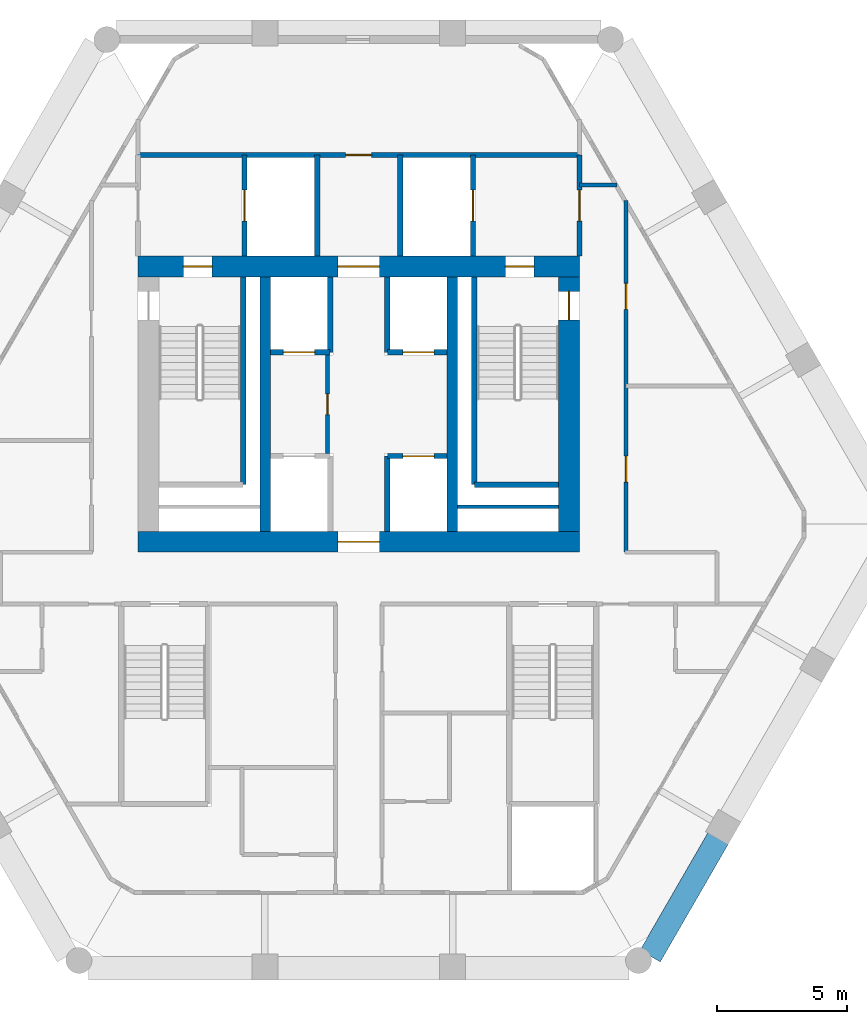
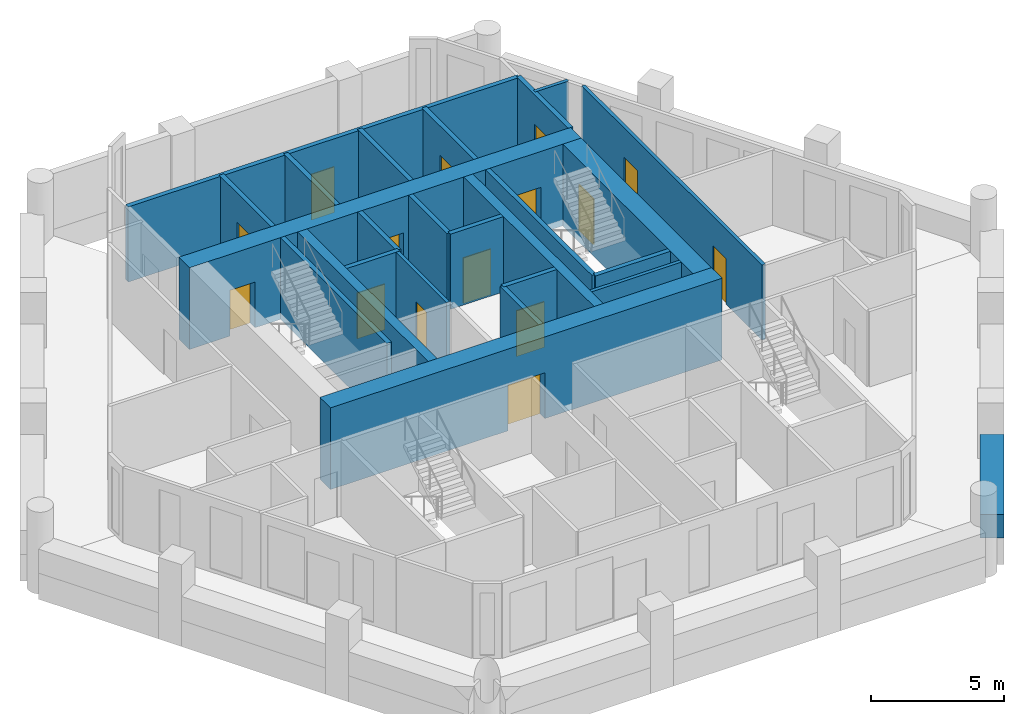
# One storey, part 4 of 7: 25 walls, 15 doors, 15 openings.
"""IFC4 building model written with IfcOpenShell, lengths in metres."""

from ifc_helpers import new_model, si_unit, direction, frame, frame_2d, origin, place, context, subcontext, project, spatial, rectangle, extrude, material, layer, layer_set, type_object, element, fill, save


model = new_model("IFC4")

# Units and contexts
model_context = context("Model", 3, precision=1e-05, world=origin(), true_north=direction((0.0, 1.0)))
body_context = subcontext(model_context, "Body", "Model", "MODEL_VIEW")
ifc_project = project(units=[si_unit("LENGTHUNIT", "METRE"), si_unit("AREAUNIT", "SQUARE_METRE"), si_unit("VOLUMEUNIT", "CUBIC_METRE"), si_unit("PLANEANGLEUNIT", "RADIAN"), si_unit("MASSUNIT", "GRAM", prefix="KILO")], contexts=[model_context])

# Site, building, storey
site_placement = place(None, origin())
site = spatial("IfcSite", under=ifc_project, at=site_placement, CompositionType="ELEMENT")
building_placement = place(site_placement, origin())
building = spatial("IfcBuilding", under=site, at=building_placement, Name="Ostrander Bayou Hotel Tower", CompositionType="ELEMENT")
storey_placement = place(building_placement, frame((0.0, 0.0, 179.5)))
storey = spatial("IfcBuildingStorey", under=building, at=storey_placement, Name="L44", CompositionType="ELEMENT", Elevation=179.5)

# Wall, opening, door
ifc_material_1 = material(Name="Concrete f'c 60 MPa", Category="concrete")
ifc_layer_1 = layer(ifc_material_1, 0.800048828125)
ifc_layer_set_1 = layer_set([ifc_layer_1], Name="CW7 core wall 800 mm f'c 60 MPa")
wall_type_1 = type_object("IfcWallType", Name="CW7 core wall 800 mm f'c 60 MPa", PredefinedType="SHEAR", material=ifc_layer_set_1)
wall_1_placement = place(storey_placement, frame((-8.5, -1.300048828125, -0.300048828125), z_axis=(0.0, 0.0, 1.0), x_axis=(1.0, 0.0, 0.0)))
wall_1 = element("IfcWall", 1, at=wall_1_placement, inside=storey, type_object=wall_type_1, Name="CW7 L44 S", PredefinedType="SHEAR", context=body_context, shape_type="SweptSolid", body=[
    extrude(rectangle(XDim=17.0, YDim=0.800048828125, at=frame_2d((8.5, 0.0))), origin(), (0.0, 0.0, 1.0), 3.75),
])
opening_1_placement = place(wall_1_placement, frame((7.699951171875, 0.0, 0.0)))
opening_1 = element("IfcOpeningElement", 2, at=opening_1_placement, cuts=wall_1, Name="Opening T44-005", PredefinedType="OPENING", context=body_context, shape_type="SweptSolid", body=[
    extrude(rectangle(XDim=1.60009765625, YDim=2.10009765625, at=frame_2d((0.800048828125, 1.050048828125))), frame((0.0, 0.39990234375, 0.0), z_axis=(0.0, -1.0, 0.0), x_axis=(1.0, 0.0, 0.0)), (0.0, 0.0, 1.0), 0.800048828125),
])
ifc_material_2 = material(Name="Timber door leaf", Category="wood")
door_type_1 = type_object("IfcDoorType", Name="D13 double door 1600 x 2100 mm, 1 hour", OperationType="SINGLE_SWING_LEFT", PredefinedType="DOOR", material=ifc_material_2)
door_1_placement = place(opening_1_placement, origin())
door_1 = element("IfcDoor", 3, at=door_1_placement, inside=storey, type_object=door_type_1, Name="dr:L44:005", OperationType="DOUBLE_DOOR_SINGLE_SWING", OverallHeight=2.10009765625, OverallWidth=1.60009765625, PredefinedType="DOOR", context=body_context, shape_type="SweptSolid", body=[
    extrude(rectangle(XDim=1.60009765625, YDim=2.10009765625, at=frame_2d((0.800048828125, 1.050048828125))), frame((0.0, 0.02490234375, 0.0), z_axis=(0.0, -1.0, 0.0), x_axis=(1.0, 0.0, 0.0)), (0.0, 0.0, 1.0), 0.050048828125),
])
fill(opening_1, door_1)

# Wall, openings, doors
wall_2_placement = place(storey_placement, frame((-8.5, 9.300048828125, -0.300048828125), z_axis=(0.0, 0.0, 1.0), x_axis=(1.0, 0.0, 0.0)))
wall_2 = element("IfcWall", 4, at=wall_2_placement, inside=storey, type_object=wall_type_1, Name="CW7 L44 N", PredefinedType="SHEAR", context=body_context, shape_type="SweptSolid", body=[
    extrude(rectangle(XDim=17.0, YDim=0.800048828125, at=frame_2d((8.5, 0.0))), origin(), (0.0, 0.0, 1.0), 3.75),
])
opening_2_placement = place(wall_2_placement, frame((7.699951171875, 0.0, 0.0)))
opening_2 = element("IfcOpeningElement", 5, at=opening_2_placement, cuts=wall_2, Name="Opening T44-006", PredefinedType="OPENING", context=body_context, shape_type="SweptSolid", body=[
    extrude(rectangle(XDim=1.60009765625, YDim=2.10009765625, at=frame_2d((0.800048828125, 1.050048828125))), frame((0.0, 0.39990234375, 0.0), z_axis=(0.0, -1.0, 0.0), x_axis=(1.0, 0.0, 0.0)), (0.0, 0.0, 1.0), 0.800048828125),
])
opening_3_placement = place(wall_2_placement, frame((1.75, 0.0, 0.0)))
opening_3 = element("IfcOpeningElement", 6, at=opening_3_placement, cuts=wall_2, Name="Opening T44-007", PredefinedType="OPENING", context=body_context, shape_type="SweptSolid", body=[
    extrude(rectangle(XDim=1.10009765625, YDim=2.10009765625, at=frame_2d((0.550048828125, 1.050048828125))), frame((0.0, 0.39990234375, 0.0), z_axis=(0.0, -1.0, 0.0), x_axis=(1.0, 0.0, 0.0)), (0.0, 0.0, 1.0), 0.800048828125),
])
opening_4_placement = place(wall_2_placement, frame((14.14990234375, 0.0, 0.0)))
opening_4 = element("IfcOpeningElement", 7, at=opening_4_placement, cuts=wall_2, Name="Opening T44-009", PredefinedType="OPENING", context=body_context, shape_type="SweptSolid", body=[
    extrude(rectangle(XDim=1.10009765625, YDim=2.10009765625, at=frame_2d((0.550048828125, 1.050048828125))), frame((0.0, 0.39990234375, 0.0), z_axis=(0.0, -1.0, 0.0), x_axis=(1.0, 0.0, 0.0)), (0.0, 0.0, 1.0), 0.800048828125),
])
door_2_placement = place(opening_2_placement, origin())
door_2 = element("IfcDoor", 8, at=door_2_placement, inside=storey, type_object=door_type_1, Name="dr:L44:006", OperationType="DOUBLE_DOOR_SINGLE_SWING", OverallHeight=2.10009765625, OverallWidth=1.60009765625, PredefinedType="DOOR", context=body_context, shape_type="SweptSolid", body=[
    extrude(rectangle(XDim=1.60009765625, YDim=2.10009765625, at=frame_2d((0.800048828125, 1.050048828125))), frame((0.0, 0.02490234375, 0.0), z_axis=(0.0, -1.0, 0.0), x_axis=(1.0, 0.0, 0.0)), (0.0, 0.0, 1.0), 0.050048828125),
])
fill(opening_2, door_2)
ifc_material_3 = material(Name="Timber door leaf", Category="wood")
door_type_2 = type_object("IfcDoorType", Name="D5 stair door 1100 x 2100 mm, 90 minute", OperationType="SINGLE_SWING_LEFT", PredefinedType="DOOR", material=ifc_material_3)
door_3_placement = place(opening_3_placement, origin())
door_3 = element("IfcDoor", 9, at=door_3_placement, inside=storey, type_object=door_type_2, Name="dr:L44:007", OperationType="SINGLE_SWING_LEFT", OverallHeight=2.10009765625, OverallWidth=1.10009765625, PredefinedType="DOOR", context=body_context, shape_type="SweptSolid", body=[
    extrude(rectangle(XDim=1.10009765625, YDim=2.10009765625, at=frame_2d((0.550048828125, 1.050048828125))), frame((0.0, 0.02490234375, 0.0), z_axis=(0.0, -1.0, 0.0), x_axis=(1.0, 0.0, 0.0)), (0.0, 0.0, 1.0), 0.050048828125),
])
fill(opening_3, door_3)
door_4_placement = place(opening_4_placement, origin())
door_4 = element("IfcDoor", 10, at=door_4_placement, inside=storey, type_object=door_type_2, Name="dr:L44:009", OperationType="SINGLE_SWING_RIGHT", OverallHeight=2.10009765625, OverallWidth=1.10009765625, PredefinedType="DOOR", context=body_context, shape_type="SweptSolid", body=[
    extrude(rectangle(XDim=1.10009765625, YDim=2.10009765625, at=frame_2d((0.550048828125, 1.050048828125))), frame((0.0, 0.02490234375, 0.0), z_axis=(0.0, -1.0, 0.0), x_axis=(1.0, 0.0, 0.0)), (0.0, 0.0, 1.0), 0.050048828125),
])
fill(opening_4, door_4)

# Wall, opening, door
ifc_material_4 = material(Name="Concrete f'c 60 MPa", Category="concrete")
ifc_layer_2 = layer(ifc_material_4, 0.800048828125)
ifc_layer_set_2 = layer_set([ifc_layer_2], Name="CW8 core spine wall 800 mm f'c 60 MPa")
wall_type_2 = type_object("IfcWallType", Name="CW8 core spine wall 800 mm f'c 60 MPa", PredefinedType="SHEAR", material=ifc_layer_set_2)
wall_3_placement = place(storey_placement, frame((8.10009765625, -0.89990234375, -0.300048828125), z_axis=(0.0, 0.0, 1.0), x_axis=(0.0, 1.0, 0.0)))
wall_3 = element("IfcWall", 11, at=wall_3_placement, inside=storey, type_object=wall_type_2, Name="CW8 L44 E", PredefinedType="SHEAR", context=body_context, shape_type="SweptSolid", body=[
    extrude(rectangle(XDim=9.7998046875, YDim=0.800048828125, at=frame_2d((4.89990234375, 0.0))), origin(), (0.0, 0.0, 1.0), 3.75),
])
opening_5_placement = place(wall_3_placement, frame((8.14990234375, 0.0, 0.0)))
opening_5 = element("IfcOpeningElement", 12, at=opening_5_placement, cuts=wall_3, Name="Opening T44-010", PredefinedType="OPENING", context=body_context, shape_type="SweptSolid", body=[
    extrude(rectangle(XDim=1.10009765625, YDim=2.10009765625, at=frame_2d((0.550048828125, 1.050048828125))), frame((0.0, 0.39990234375, 0.0), z_axis=(0.0, -1.0, 0.0), x_axis=(1.0, 0.0, 0.0)), (0.0, 0.0, 1.0), 0.800048828125),
])
door_5_placement = place(opening_5_placement, origin())
door_5 = element("IfcDoor", 13, at=door_5_placement, inside=storey, type_object=door_type_2, Name="dr:L44:010", OperationType="SINGLE_SWING_LEFT", OverallHeight=2.10009765625, OverallWidth=1.10009765625, PredefinedType="DOOR", context=body_context, shape_type="SweptSolid", body=[
    extrude(rectangle(XDim=1.10009765625, YDim=2.10009765625, at=frame_2d((0.550048828125, 1.050048828125))), frame((0.0, 0.02490234375, 0.0), z_axis=(0.0, -1.0, 0.0), x_axis=(1.0, 0.0, 0.0)), (0.0, 0.0, 1.0), 0.050048828125),
])
fill(opening_5, door_5)

# Walls
ifc_material_5 = material(Name="Concrete f'c 60 MPa", Category="concrete")
ifc_layer_3 = layer(ifc_material_5, 0.39990234375)
ifc_layer_set_3 = layer_set([ifc_layer_3], Name="CW9 core bank wall 400 mm f'c 60 MPa")
wall_type_3 = type_object("IfcWallType", Name="CW9 core bank wall 400 mm f'c 60 MPa", PredefinedType="SHEAR", material=ifc_layer_set_3)
for number, where, z_axis, x_axis, name in (
    (14, (-3.60009765625, -0.89990234375, -0.300048828125), (0.0, 0.0, 1.0), (0.0, 1.0, 0.0), "CW9 L44 CW"),
    (15, (3.60009765625, -0.89990234375, -0.300048828125), (0.0, 0.0, 1.0), (0.0, 1.0, 0.0), "CW9 L44 CE"),
):
    element("IfcWall", number, at=place(storey_placement, frame(where, z_axis=z_axis, x_axis=x_axis)), inside=storey, type_object=wall_type_3, Name=name, PredefinedType="SHEAR", context=body_context, shape_type="SweptSolid", body=[
        extrude(rectangle(XDim=9.7998046875, YDim=0.39990234375, at=frame_2d((4.89990234375, 0.0))), origin(), (0.0, 0.0, 1.0), 3.75),
    ])
ifc_material_6 = material(Name="Limestone masonry", Category="masonry")
ifc_layer_4 = layer(ifc_material_6, 0.89990234375)
ifc_layer_set_4 = layer_set([ifc_layer_4], Name="PA2 limestone parapet 900 mm")
wall_type_4 = type_object("IfcWallType", Name="PA2 limestone parapet 900 mm", PredefinedType="PARAPET", material=ifc_layer_set_4)
wall_4_placement = place(storey_placement, frame((11.224609375, -17.25830078125, 0.0), z_axis=(0.0, 0.0, 1.0), x_axis=(0.499988348136, 0.866032130887, 0.0)))
element("IfcWall", 16, at=wall_4_placement, inside=storey, type_object=wall_type_4, Name="PA2 L44 SE-1", PredefinedType="PARAPET", context=body_context, shape_type="SweptSolid", body=[
    extrude(rectangle(XDim=5.245849609375, YDim=0.89990234375, at=frame_2d((2.623046875, 0.0))), origin(), (0.0, 0.0, 1.0), 1.10009765625),
])

# Wall, opening, door
ifc_material_7 = material(Name="Masonry block", Category="masonry")
ifc_layer_5 = layer(ifc_material_7, 0.199951171875)
ifc_layer_set_5 = layer_set([ifc_layer_5], Name="PT5 stair enclosure wall 200 mm masonry, 2 hour")
wall_type_5 = type_object("IfcWallType", Name="PT5 stair enclosure wall 200 mm masonry, 2 hour", PredefinedType="PARTITIONING", material=ifc_layer_set_5)
wall_5_placement = place(storey_placement, frame((-8.5, 13.60009765625, 0.0), z_axis=(0.0, 0.0, 1.0), x_axis=(1.0, 0.0, 0.0)))
wall_5 = element("IfcWall", 17, at=wall_5_placement, inside=storey, type_object=wall_type_5, Name="cs:L44:025", PredefinedType="PARTITIONING", context=body_context, shape_type="SweptSolid", body=[
    extrude(rectangle(XDim=17.0, YDim=0.199951171875, at=frame_2d((8.5, 0.0))), origin(), (0.0, 0.0, 1.0), 3.449951171875),
])
opening_6_placement = place(wall_5_placement, frame((8.0, 0.0, 0.0)))
opening_6 = element("IfcOpeningElement", 18, at=opening_6_placement, cuts=wall_5, Name="Opening T44-017", PredefinedType="OPENING", context=body_context, shape_type="SweptSolid", body=[
    extrude(rectangle(XDim=1.0, YDim=2.10009765625, at=frame_2d((0.5, 1.050048828125))), frame((0.0, 0.10009765625, 0.0), z_axis=(0.0, -1.0, 0.0), x_axis=(1.0, 0.0, 0.0)), (0.0, 0.0, 1.0), 0.199951171875),
])
ifc_material_8 = material(Name="Timber door leaf", Category="wood")
door_type_3 = type_object("IfcDoorType", Name="D9 service door 1000 x 2100 mm, 30 minute", OperationType="SINGLE_SWING_LEFT", PredefinedType="DOOR", material=ifc_material_8)
door_6_placement = place(opening_6_placement, origin())
door_6 = element("IfcDoor", 19, at=door_6_placement, inside=storey, type_object=door_type_3, Name="dr:L44:017", OperationType="SINGLE_SWING_LEFT", OverallHeight=2.10009765625, OverallWidth=1.0, PredefinedType="DOOR", context=body_context, shape_type="SweptSolid", body=[
    extrude(rectangle(XDim=1.0, YDim=2.10009765625, at=frame_2d((0.5, 1.050048828125))), frame((0.0, 0.02490234375, 0.0), z_axis=(0.0, -1.0, 0.0), x_axis=(1.0, 0.0, 0.0)), (0.0, 0.0, 1.0), 0.050048828125),
])
fill(opening_6, door_6)

wall_6_placement = place(storey_placement, frame((8.5, 9.699951171875, 0.0), z_axis=(0.0, 0.0, 1.0), x_axis=(0.0, 1.0, 0.0)))
wall_6 = element("IfcWall", 20, at=wall_6_placement, inside=storey, type_object=wall_type_5, Name="cs:L44:027", PredefinedType="PARTITIONING", context=body_context, shape_type="SweptSolid", body=[
    extrude(rectangle(XDim=3.900146484375, YDim=0.199951171875, at=frame_2d((1.9501953125, 0.0))), origin(), (0.0, 0.0, 1.0), 3.449951171875),
])
opening_7_placement = place(wall_6_placement, frame((1.35009765625, 0.0, 0.0)))
opening_7 = element("IfcOpeningElement", 21, at=opening_7_placement, cuts=wall_6, Name="Opening T44-016", PredefinedType="OPENING", context=body_context, shape_type="SweptSolid", body=[
    extrude(rectangle(XDim=1.199951171875, YDim=2.10009765625, at=frame_2d((0.60009765625, 1.050048828125))), frame((0.0, 0.10009765625, 0.0), z_axis=(0.0, -1.0, 0.0), x_axis=(1.0, 0.0, 0.0)), (0.0, 0.0, 1.0), 0.199951171875),
])
ifc_material_9 = material(Name="Timber door leaf", Category="wood")
door_type_4 = type_object("IfcDoorType", Name="D7 lobby door 1200 x 2100 mm, 1 hour", OperationType="SINGLE_SWING_LEFT", PredefinedType="DOOR", material=ifc_material_9)
door_7_placement = place(opening_7_placement, origin())
door_7 = element("IfcDoor", 22, at=door_7_placement, inside=storey, type_object=door_type_4, Name="dr:L44:016", OperationType="SINGLE_SWING_LEFT", OverallHeight=2.10009765625, OverallWidth=1.199951171875, PredefinedType="DOOR", context=body_context, shape_type="SweptSolid", body=[
    extrude(rectangle(XDim=1.199951171875, YDim=2.10009765625, at=frame_2d((0.60009765625, 1.050048828125))), frame((0.0, 0.02490234375, 0.0), z_axis=(0.0, -1.0, 0.0), x_axis=(1.0, 0.0, 0.0)), (0.0, 0.0, 1.0), 0.050048828125),
])
fill(opening_7, door_7)

wall_7_placement = place(storey_placement, frame((-4.39990234375, 9.699951171875, 0.0), z_axis=(0.0, 0.0, 1.0), x_axis=(0.0, 1.0, 0.0)))
wall_7 = element("IfcWall", 23, at=wall_7_placement, inside=storey, type_object=wall_type_5, Name="cs:L44:028", PredefinedType="PARTITIONING", context=body_context, shape_type="SweptSolid", body=[
    extrude(rectangle(XDim=3.900146484375, YDim=0.199951171875, at=frame_2d((1.9501953125, 0.0))), origin(), (0.0, 0.0, 1.0), 3.449951171875),
])
opening_8_placement = place(wall_7_placement, frame((1.35009765625, 0.0, 0.0)))
opening_8 = element("IfcOpeningElement", 24, at=opening_8_placement, cuts=wall_7, Name="Opening T44-013", PredefinedType="OPENING", context=body_context, shape_type="SweptSolid", body=[
    extrude(rectangle(XDim=1.199951171875, YDim=2.10009765625, at=frame_2d((0.60009765625, 1.050048828125))), frame((0.0, 0.10009765625, 0.0), z_axis=(0.0, -1.0, 0.0), x_axis=(1.0, 0.0, 0.0)), (0.0, 0.0, 1.0), 0.199951171875),
])
ifc_material_10 = material(Name="Stainless steel sliding door", Category="steel")
door_type_5 = type_object("IfcDoorType", Name="LD1 lift landing door 1200 x 2100 mm", OperationType="SINGLE_SWING_LEFT", PredefinedType="DOOR", material=ifc_material_10)
door_8_placement = place(opening_8_placement, origin())
door_8 = element("IfcDoor", 25, at=door_8_placement, inside=storey, type_object=door_type_5, Name="dr:L44:013", OperationType="SLIDING_TO_LEFT", OverallHeight=2.10009765625, OverallWidth=1.199951171875, PredefinedType="DOOR", context=body_context, shape_type="SweptSolid", body=[
    extrude(rectangle(XDim=1.199951171875, YDim=2.10009765625, at=frame_2d((0.60009765625, 1.050048828125))), frame((0.0, 0.02490234375, 0.0), z_axis=(0.0, -1.0, 0.0), x_axis=(1.0, 0.0, 0.0)), (0.0, 0.0, 1.0), 0.050048828125),
])
fill(opening_8, door_8)

wall_8_placement = place(storey_placement, frame((4.39990234375, 9.699951171875, 0.0), z_axis=(0.0, 0.0, 1.0), x_axis=(0.0, 1.0, 0.0)))
wall_8 = element("IfcWall", 26, at=wall_8_placement, inside=storey, type_object=wall_type_5, Name="cs:L44:029", PredefinedType="PARTITIONING", context=body_context, shape_type="SweptSolid", body=[
    extrude(rectangle(XDim=3.900146484375, YDim=0.199951171875, at=frame_2d((1.9501953125, 0.0))), origin(), (0.0, 0.0, 1.0), 3.449951171875),
])
opening_9_placement = place(wall_8_placement, frame((1.35009765625, 0.0, 0.0)))
opening_9 = element("IfcOpeningElement", 27, at=opening_9_placement, cuts=wall_8, Name="Opening T44-015", PredefinedType="OPENING", context=body_context, shape_type="SweptSolid", body=[
    extrude(rectangle(XDim=1.199951171875, YDim=2.10009765625, at=frame_2d((0.60009765625, 1.050048828125))), frame((0.0, 0.10009765625, 0.0), z_axis=(0.0, -1.0, 0.0), x_axis=(1.0, 0.0, 0.0)), (0.0, 0.0, 1.0), 0.199951171875),
])
door_9_placement = place(opening_9_placement, origin())
door_9 = element("IfcDoor", 28, at=door_9_placement, inside=storey, type_object=door_type_5, Name="dr:L44:015", OperationType="SLIDING_TO_LEFT", OverallHeight=2.10009765625, OverallWidth=1.199951171875, PredefinedType="DOOR", context=body_context, shape_type="SweptSolid", body=[
    extrude(rectangle(XDim=1.199951171875, YDim=2.10009765625, at=frame_2d((0.60009765625, 1.050048828125))), frame((0.0, 0.02490234375, 0.0), z_axis=(0.0, -1.0, 0.0), x_axis=(1.0, 0.0, 0.0)), (0.0, 0.0, 1.0), 0.050048828125),
])
fill(opening_9, door_9)

ifc_material_11 = material(Name="Masonry block", Category="masonry")
ifc_layer_6 = layer(ifc_material_11, 0.199951171875)
ifc_layer_set_6 = layer_set([ifc_layer_6], Name="PT6 lift shaft wall 200 mm masonry, 2 hour")
wall_type_6 = type_object("IfcWallType", Name="PT6 lift shaft wall 200 mm masonry, 2 hour", PredefinedType="PARTITIONING", material=ifc_layer_set_6)
wall_9_placement = place(storey_placement, frame((-3.39990234375, 6.0, 0.0), z_axis=(0.0, 0.0, 1.0), x_axis=(1.0, 0.0, 0.0)))
wall_9 = element("IfcWall", 29, at=wall_9_placement, inside=storey, type_object=wall_type_6, Name="cs:L44:002", PredefinedType="PARTITIONING", context=body_context, shape_type="SweptSolid", body=[
    extrude(rectangle(XDim=2.2998046875, YDim=0.199951171875, at=frame_2d((1.14990234375, 0.0))), origin(), (0.0, 0.0, 1.0), 3.449951171875),
])
opening_10_placement = place(wall_9_placement, frame((0.5, 0.0, 0.0)))
opening_10 = element("IfcOpeningElement", 30, at=opening_10_placement, cuts=wall_9, Name="Opening T44-003", PredefinedType="OPENING", context=body_context, shape_type="SweptSolid", body=[
    extrude(rectangle(XDim=1.199951171875, YDim=2.10009765625, at=frame_2d((0.60009765625, 1.050048828125))), frame((0.0, 0.10009765625, 0.0), z_axis=(0.0, -1.0, 0.0), x_axis=(1.0, 0.0, 0.0)), (0.0, 0.0, 1.0), 0.199951171875),
])
door_10_placement = place(opening_10_placement, origin())
door_10 = element("IfcDoor", 31, at=door_10_placement, inside=storey, type_object=door_type_5, Name="dr:L44:003", OperationType="SLIDING_TO_LEFT", OverallHeight=2.10009765625, OverallWidth=1.199951171875, PredefinedType="DOOR", context=body_context, shape_type="SweptSolid", body=[
    extrude(rectangle(XDim=1.199951171875, YDim=2.10009765625, at=frame_2d((0.60009765625, 1.050048828125))), frame((0.0, 0.02490234375, 0.0), z_axis=(0.0, -1.0, 0.0), x_axis=(1.0, 0.0, 0.0)), (0.0, 0.0, 1.0), 0.050048828125),
])
fill(opening_10, door_10)

wall_10_placement = place(storey_placement, frame((1.10009765625, 2.0, 0.0), z_axis=(0.0, 0.0, 1.0), x_axis=(1.0, 0.0, 0.0)))
wall_10 = element("IfcWall", 32, at=wall_10_placement, inside=storey, type_object=wall_type_6, Name="cs:L44:003", PredefinedType="PARTITIONING", context=body_context, shape_type="SweptSolid", body=[
    extrude(rectangle(XDim=2.2998046875, YDim=0.199951171875, at=frame_2d((1.14990234375, 0.0))), origin(), (0.0, 0.0, 1.0), 3.449951171875),
])
opening_11_placement = place(wall_10_placement, frame((0.60009765625, 0.0, 0.0)))
opening_11 = element("IfcOpeningElement", 33, at=opening_11_placement, cuts=wall_10, Name="Opening T44-002", PredefinedType="OPENING", context=body_context, shape_type="SweptSolid", body=[
    extrude(rectangle(XDim=1.199951171875, YDim=2.10009765625, at=frame_2d((0.60009765625, 1.050048828125))), frame((0.0, 0.10009765625, 0.0), z_axis=(0.0, -1.0, 0.0), x_axis=(1.0, 0.0, 0.0)), (0.0, 0.0, 1.0), 0.199951171875),
])
door_11_placement = place(opening_11_placement, origin())
door_11 = element("IfcDoor", 34, at=door_11_placement, inside=storey, type_object=door_type_5, Name="dr:L44:002", OperationType="SLIDING_TO_LEFT", OverallHeight=2.10009765625, OverallWidth=1.199951171875, PredefinedType="DOOR", context=body_context, shape_type="SweptSolid", body=[
    extrude(rectangle(XDim=1.199951171875, YDim=2.10009765625, at=frame_2d((0.60009765625, 1.050048828125))), frame((0.0, 0.02490234375, 0.0), z_axis=(0.0, -1.0, 0.0), x_axis=(1.0, 0.0, 0.0)), (0.0, 0.0, 1.0), 0.050048828125),
])
fill(opening_11, door_11)

wall_11_placement = place(storey_placement, frame((1.10009765625, 6.0, 0.0), z_axis=(0.0, 0.0, 1.0), x_axis=(1.0, 0.0, 0.0)))
wall_11 = element("IfcWall", 35, at=wall_11_placement, inside=storey, type_object=wall_type_6, Name="cs:L44:004", PredefinedType="PARTITIONING", context=body_context, shape_type="SweptSolid", body=[
    extrude(rectangle(XDim=2.2998046875, YDim=0.199951171875, at=frame_2d((1.14990234375, 0.0))), origin(), (0.0, 0.0, 1.0), 3.449951171875),
])
opening_12_placement = place(wall_11_placement, frame((0.60009765625, 0.0, 0.0)))
opening_12 = element("IfcOpeningElement", 36, at=opening_12_placement, cuts=wall_11, Name="Opening T44-004", PredefinedType="OPENING", context=body_context, shape_type="SweptSolid", body=[
    extrude(rectangle(XDim=1.199951171875, YDim=2.10009765625, at=frame_2d((0.60009765625, 1.050048828125))), frame((0.0, 0.10009765625, 0.0), z_axis=(0.0, -1.0, 0.0), x_axis=(1.0, 0.0, 0.0)), (0.0, 0.0, 1.0), 0.199951171875),
])
door_12_placement = place(opening_12_placement, origin())
door_12 = element("IfcDoor", 37, at=door_12_placement, inside=storey, type_object=door_type_5, Name="dr:L44:004", OperationType="SLIDING_TO_LEFT", OverallHeight=2.10009765625, OverallWidth=1.199951171875, PredefinedType="DOOR", context=body_context, shape_type="SweptSolid", body=[
    extrude(rectangle(XDim=1.199951171875, YDim=2.10009765625, at=frame_2d((0.60009765625, 1.050048828125))), frame((0.0, 0.02490234375, 0.0), z_axis=(0.0, -1.0, 0.0), x_axis=(1.0, 0.0, 0.0)), (0.0, 0.0, 1.0), 0.050048828125),
])
fill(opening_12, door_12)

# Walls
for number, where, z_axis, x_axis, name in (
    (38, (1.10009765625, -0.89990234375, 0.0), (0.0, 0.0, 1.0), (0.0, 1.0, 0.0), "cs:L44:006"),
    (39, (-1.10009765625, 6.0, 0.0), (0.0, 0.0, 1.0), (0.0, 1.0, 0.0), "cs:L44:007"),
    (40, (1.10009765625, 6.0, 0.0), (0.0, 0.0, 1.0), (0.0, 1.0, 0.0), "cs:L44:008"),
):
    element("IfcWall", number, at=place(storey_placement, frame(where, z_axis=z_axis, x_axis=x_axis)), inside=storey, type_object=wall_type_6, Name=name, PredefinedType="PARTITIONING", context=body_context, shape_type="SweptSolid", body=[
        extrude(rectangle(XDim=2.89990234375, YDim=0.199951171875, at=frame_2d((1.449951171875, 0.0))), origin(), (0.0, 0.0, 1.0), 3.449951171875),
    ])
for number, where, z_axis, x_axis, name in (
    (41, (-1.60009765625, 9.699951171875, 0.0), (0.0, 0.0, 1.0), (0.0, 1.0, 0.0), "cs:L44:030"),
    (42, (1.60009765625, 9.699951171875, 0.0), (0.0, 0.0, 1.0), (0.0, 1.0, 0.0), "cs:L44:031"),
):
    element("IfcWall", number, at=place(storey_placement, frame(where, z_axis=z_axis, x_axis=x_axis)), inside=storey, type_object=wall_type_6, Name=name, PredefinedType="PARTITIONING", context=body_context, shape_type="SweptSolid", body=[
        extrude(rectangle(XDim=3.900146484375, YDim=0.199951171875, at=frame_2d((1.9501953125, 0.0))), origin(), (0.0, 0.0, 1.0), 3.449951171875),
    ])
ifc_material_12 = material(Name="Gypsum board partition", Category="finish")
ifc_layer_7 = layer(ifc_material_12, 0.14990234375)
ifc_layer_set_7 = layer_set([ifc_layer_7], Name="PT7 riser wall 150 mm, 2 hour")
wall_type_7 = type_object("IfcWallType", Name="PT7 riser wall 150 mm, 2 hour", PredefinedType="PARTITIONING", material=ifc_layer_set_7)
wall_12_placement = place(storey_placement, frame((3.800048828125, 0.050048828125, 0.0), z_axis=(0.0, 0.0, 1.0), x_axis=(1.0, 0.0, 0.0)))
element("IfcWall", 43, at=wall_12_placement, inside=storey, type_object=wall_type_7, Name="cs:L44:014", PredefinedType="PARTITIONING", context=body_context, shape_type="SweptSolid", body=[
    extrude(rectangle(XDim=3.89990234375, YDim=0.14990234375, at=frame_2d((1.949951171875, 0.0))), origin(), (0.0, 0.0, 1.0), 3.449951171875),
])

# Wall, opening, door
wall_13_placement = place(storey_placement, frame((-1.199951171875, 2.10009765625, 0.0), z_axis=(0.0, 0.0, 1.0), x_axis=(0.0, 1.0, 0.0)))
wall_13 = element("IfcWall", 44, at=wall_13_placement, inside=storey, type_object=wall_type_7, Name="cs:L44:032", PredefinedType="PARTITIONING", context=body_context, shape_type="SweptSolid", body=[
    extrude(rectangle(XDim=3.7998046875, YDim=0.14990234375, at=frame_2d((1.89990234375, 0.0))), origin(), (0.0, 0.0, 1.0), 3.449951171875),
])
opening_13_placement = place(wall_13_placement, frame((1.5, 0.0, 0.0)))
opening_13 = element("IfcOpeningElement", 45, at=opening_13_placement, cuts=wall_13, Name="Opening T44-018", PredefinedType="OPENING", context=body_context, shape_type="SweptSolid", body=[
    extrude(rectangle(XDim=0.800048828125, YDim=2.10009765625, at=frame_2d((0.39990234375, 1.050048828125))), frame((0.0, 0.074951171875, 0.0), z_axis=(0.0, -1.0, 0.0), x_axis=(1.0, 0.0, 0.0)), (0.0, 0.0, 1.0), 0.14990234375),
])
ifc_material_13 = material(Name="Timber door leaf", Category="wood")
door_type_6 = type_object("IfcDoorType", Name="D6 riser door 800 x 2100 mm, 90 minute", OperationType="SINGLE_SWING_LEFT", PredefinedType="DOOR", material=ifc_material_13)
door_13_placement = place(opening_13_placement, origin())
door_13 = element("IfcDoor", 46, at=door_13_placement, inside=storey, type_object=door_type_6, Name="dr:L44:018", OperationType="SINGLE_SWING_LEFT", OverallHeight=2.10009765625, OverallWidth=0.800048828125, PredefinedType="DOOR", context=body_context, shape_type="SweptSolid", body=[
    extrude(rectangle(XDim=0.800048828125, YDim=2.10009765625, at=frame_2d((0.39990234375, 1.050048828125))), frame((0.0, 0.02490234375, 0.0), z_axis=(0.0, -1.0, 0.0), x_axis=(1.0, 0.0, 0.0)), (0.0, 0.0, 1.0), 0.050048828125),
])
fill(opening_13, door_13)

# Wall
ifc_material_14 = material(Name="Gypsum board partition", Category="finish")
ifc_layer_8 = layer(ifc_material_14, 0.14990234375)
ifc_layer_set_8 = layer_set([ifc_layer_8], Name="PT8 service band wall 150 mm, 1 hour")
wall_type_8 = type_object("IfcWallType", Name="PT8 service band wall 150 mm, 1 hour", PredefinedType="PARTITIONING", material=ifc_layer_set_8)
wall_14_placement = place(storey_placement, frame((8.510009765625, 12.449951171875, 0.0), z_axis=(0.0, 0.0, 1.0), x_axis=(1.0, 0.0, 0.0)))
element("IfcWall", 47, at=wall_14_placement, inside=storey, type_object=wall_type_8, Name="gw:L44:017", PredefinedType="PARTITIONING", context=body_context, shape_type="SweptSolid", body=[
    extrude(rectangle(XDim=1.447021484375, YDim=0.14990234375, at=frame_2d((0.7236328125, 0.0))), origin(), (0.0, 0.0, 1.0), 3.449951171875),
])

# Wall, openings, doors
wall_15_placement = place(storey_placement, frame((10.300048828125, -1.699951171875, 0.0), z_axis=(0.0, 0.0, 1.0), x_axis=(0.0, 1.0, 0.0)))
wall_15 = element("IfcWall", 48, at=wall_15_placement, inside=storey, type_object=wall_type_8, Name="gw:L44:020", PredefinedType="PARTITIONING", context=body_context, shape_type="SweptSolid", body=[
    extrude(rectangle(XDim=13.555908203125, YDim=0.14990234375, at=frame_2d((6.77783203125, 0.0))), origin(), (0.0, 0.0, 1.0), 3.449951171875),
])
opening_14_placement = place(wall_15_placement, frame((2.699951171875, 0.0, 0.0)))
opening_14 = element("IfcOpeningElement", 49, at=opening_14_placement, cuts=wall_15, Name="Opening T44-412", PredefinedType="OPENING", context=body_context, shape_type="SweptSolid", body=[
    extrude(rectangle(XDim=1.0, YDim=2.10009765625, at=frame_2d((0.5, 1.050048828125))), frame((0.0, 0.074951171875, 0.0), z_axis=(0.0, -1.0, 0.0), x_axis=(1.0, 0.0, 0.0)), (0.0, 0.0, 1.0), 0.14990234375),
])
opening_15_placement = place(wall_15_placement, frame((9.35693359375, 0.0, 0.0)))
opening_15 = element("IfcOpeningElement", 50, at=opening_15_placement, cuts=wall_15, Name="Opening T44-413", PredefinedType="OPENING", context=body_context, shape_type="SweptSolid", body=[
    extrude(rectangle(XDim=1.0, YDim=2.10009765625, at=frame_2d((0.5, 1.050048828125))), frame((0.0, 0.074951171875, 0.0), z_axis=(0.0, -1.0, 0.0), x_axis=(1.0, 0.0, 0.0)), (0.0, 0.0, 1.0), 0.14990234375),
])
ifc_material_15 = material(Name="Timber door leaf", Category="wood")
door_type_7 = type_object("IfcDoorType", Name="D15 room door 1000 x 2100 mm", OperationType="SINGLE_SWING_LEFT", PredefinedType="DOOR", material=ifc_material_15)
door_14_placement = place(opening_14_placement, origin())
door_14 = element("IfcDoor", 51, at=door_14_placement, inside=storey, type_object=door_type_7, Name="dr:L44:412", OperationType="SINGLE_SWING_LEFT", OverallHeight=2.10009765625, OverallWidth=1.0, PredefinedType="DOOR", context=body_context, shape_type="SweptSolid", body=[
    extrude(rectangle(XDim=1.0, YDim=2.10009765625, at=frame_2d((0.5, 1.050048828125))), frame((0.0, 0.02490234375, 0.0), z_axis=(0.0, -1.0, 0.0), x_axis=(1.0, 0.0, 0.0)), (0.0, 0.0, 1.0), 0.050048828125),
])
fill(opening_14, door_14)
door_15_placement = place(opening_15_placement, origin())
door_15 = element("IfcDoor", 52, at=door_15_placement, inside=storey, type_object=door_type_3, Name="dr:L44:413", OperationType="SINGLE_SWING_LEFT", OverallHeight=2.10009765625, OverallWidth=1.0, PredefinedType="DOOR", context=body_context, shape_type="SweptSolid", body=[
    extrude(rectangle(XDim=1.0, YDim=2.10009765625, at=frame_2d((0.5, 1.050048828125))), frame((0.0, 0.02490234375, 0.0), z_axis=(0.0, -1.0, 0.0), x_axis=(1.0, 0.0, 0.0)), (0.0, 0.0, 1.0), 0.050048828125),
])
fill(opening_15, door_15)

# Walls
ifc_material_16 = material(Name="Concrete f'c 45 MPa", Category="concrete")
ifc_layer_9 = layer(ifc_material_16, 0.199951171875)
ifc_layer_set_9 = layer_set([ifc_layer_9], Name="SW5 stair enclosure wall 200 mm f'c 45 MPa")
wall_type_9 = type_object("IfcWallType", Name="SW5 stair enclosure wall 200 mm f'c 45 MPa", PredefinedType="SOLIDWALL", material=ifc_layer_set_9)
for number, where, z_axis, x_axis, name in (
    (53, (-4.449951171875, 0.89990234375, -0.300048828125), (0.0, 0.0, 1.0), (0.0, 1.0, 0.0), "cs:L44:009"),
    (54, (4.449951171875, 0.89990234375, -0.300048828125), (0.0, 0.0, 1.0), (0.0, 1.0, 0.0), "cs:L44:012"),
):
    element("IfcWall", number, at=place(storey_placement, frame(where, z_axis=z_axis, x_axis=x_axis)), inside=storey, type_object=wall_type_9, Name=name, PredefinedType="SOLIDWALL", context=body_context, shape_type="SweptSolid", body=[
        extrude(rectangle(XDim=8.0, YDim=0.199951171875, at=frame_2d((4.0, 0.0))), origin(), (0.0, 0.0, 1.0), 3.75),
    ])
wall_16_placement = place(storey_placement, frame((4.449951171875, 0.89990234375, -0.300048828125), z_axis=(0.0, 0.0, 1.0), x_axis=(1.0, 0.0, 0.0)))
element("IfcWall", 55, at=wall_16_placement, inside=storey, type_object=wall_type_9, Name="cs:L44:013", PredefinedType="SOLIDWALL", context=body_context, shape_type="SweptSolid", body=[
    extrude(rectangle(XDim=3.25, YDim=0.199951171875, at=frame_2d((1.625, 0.0))), origin(), (0.0, 0.0, 1.0), 3.75),
])

save(model, "model.ifc")
